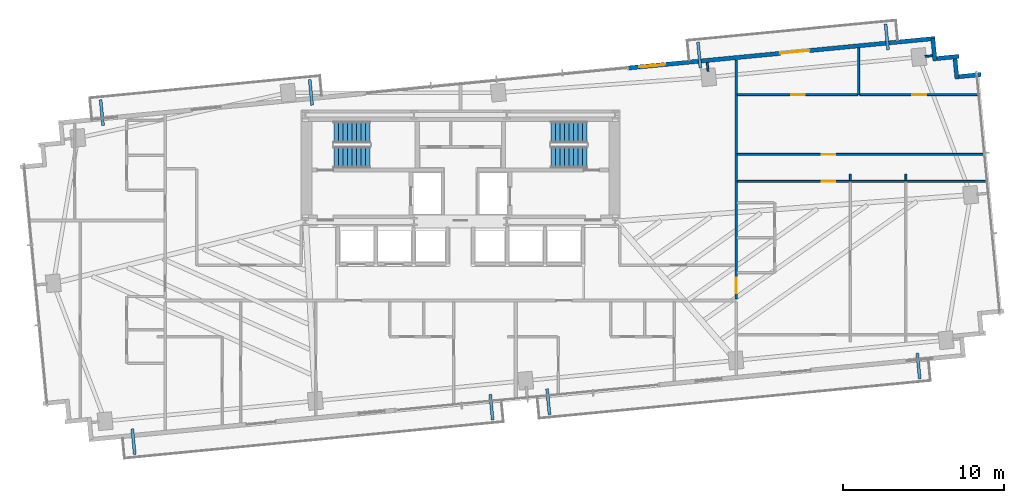
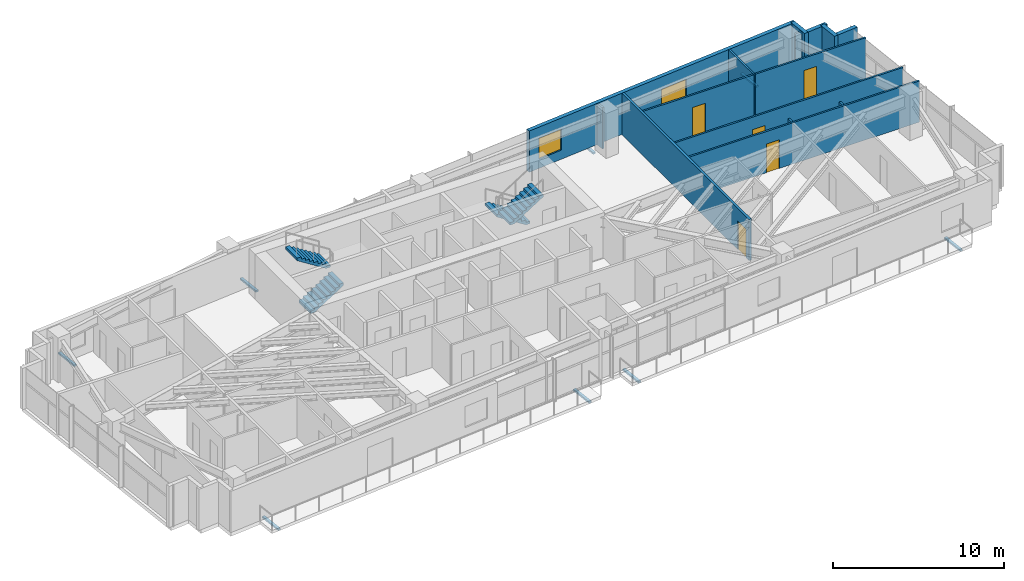
# One storey, part 24 of 27: 15 walls, 8 discrete accessories, 6 doors, 4 stair flights, 1 window, 7 openings, 2 elements without a shape of their own.
"""IFC4 building model written with IfcOpenShell, lengths in metres."""

from ifc_helpers import new_model, si_unit, direction, frame, frame_2d, origin, origin_2d, place, context, subcontext, project, spatial, polyline, rectangle, outline, extrude, source, transform, mapped, material, layer, layer_set, type_object, type_shapes, element, fill, aggregate, save


model = new_model("IFC4")

# Units and contexts
model_context = context("Model", 3, precision=1e-05, world=origin(), true_north=direction((0.0, 1.0)))
body_context = subcontext(model_context, "Body", "Model", "MODEL_VIEW")
ifc_project = project(units=[si_unit("LENGTHUNIT", "METRE"), si_unit("AREAUNIT", "SQUARE_METRE"), si_unit("VOLUMEUNIT", "CUBIC_METRE"), si_unit("PLANEANGLEUNIT", "RADIAN"), si_unit("MASSUNIT", "GRAM", prefix="KILO")], contexts=[model_context])

# Site, building, storey
site_placement = place(None, origin())
site = spatial("IfcSite", under=ifc_project, at=site_placement, CompositionType="ELEMENT")
building_placement = place(site_placement, origin())
building = spatial("IfcBuilding", under=site, at=building_placement, Name="Astriad Promenade Condominiums", CompositionType="ELEMENT")
storey_placement = place(building_placement, frame((0.0, 0.0, 87.39990234375)))
storey = spatial("IfcBuildingStorey", under=building, at=storey_placement, Name="L24", CompositionType="ELEMENT", Elevation=87.39990234375)

# Wall, opening, door
ifc_material_1 = material(Name="Fire-Rated Gypsum Partition")
ifc_layer_1 = layer(ifc_material_1, 0.159912109375)
ifc_layer_set_1 = layer_set([ifc_layer_1], Name="Fire-Rated Gypsum Partition")
wall_type_1 = type_object("IfcWallType", Name="WALL-CORR-160", PredefinedType="PARTITIONING", material=ifc_layer_set_1)
wall_1_placement = place(storey_placement, frame((53.10009765625, 12.572021484375, 0.0), z_axis=(0.0, 0.0, 1.0), x_axis=(0.0, 1.0, 0.0)))
wall_1 = element("IfcWall", 1, at=wall_1_placement, inside=storey, type_object=wall_type_1, Name="PT-COR-E-L24-S2", PredefinedType="PARTITIONING", context=body_context, shape_type="SweptSolid", body=[
    extrude(rectangle(XDim=14.849365234375, YDim=0.159912109375, at=frame_2d((7.4248046875, 0.0))), origin(), (0.0, 0.0, 1.0), 2.940185546875),
])
opening_1_placement = place(wall_1_placement, frame((0.3701171875, 0.0, 0.0)))
opening_1 = element("IfcOpeningElement", 2, at=opening_1_placement, cuts=wall_1, Name="Opening FD60-APT-095", PredefinedType="OPENING", context=body_context, shape_type="SweptSolid", body=[
    extrude(rectangle(XDim=0.949951171875, YDim=2.06005859375, at=frame_2d((0.47509765625, 1.030029296875))), frame((0.0, 0.08984375, 0.0), z_axis=(0.0, -1.0, 0.0), x_axis=(1.0, 0.0, 0.0)), (0.0, 0.0, 1.0), 0.179931640625),
])
ifc_material_2 = material(Name="Solid-Core Acoustic Timber Residence Entry Door", Category="wood")
door_type_1 = type_object("IfcDoorType", Name="FD60-APT-095", OperationType="NOTDEFINED", PredefinedType="DOOR", material=ifc_material_2)
shared_shape_1 = source(origin(), body_context, "Body", "SweptSolid", [
    extrude(rectangle(XDim=0.949951171875, YDim=2.06005859375, at=frame_2d((0.47509765625, 1.030029296875))), frame((0.0, 0.02490234375, 0.0), z_axis=(0.0, -1.0, 0.0), x_axis=(1.0, 0.0, 0.0)), (0.0, 0.0, 1.0), 0.050048828125),
])
type_shapes(door_type_1, [shared_shape_1])
door_1_placement = place(opening_1_placement, origin())
door_1 = element("IfcDoor", 3, at=door_1_placement, inside=storey, type_object=door_type_1, Name="D-ENT-L24-E1", OperationType="SINGLE_SWING_RIGHT", OverallHeight=2.06005859375, OverallWidth=0.949951171875, PredefinedType="DOOR", context=body_context, shape_type="MappedRepresentation", body=[
    mapped(shared_shape_1, transform((0.0, 0.0, 0.0), scale=1.0)),
])
fill(opening_1, door_1)

# Wall, openings, door, window
ifc_material_3 = material(Name="Precast concrete C50/60", Category="concrete")
ifc_layer_2 = layer(ifc_material_3, 0.260009765625)
ifc_layer_set_2 = layer_set([ifc_layer_2], Name="Precast concrete C50/60")
wall_type_2 = type_object("IfcWallType", Name="WALL-EXT-TWR-260", PredefinedType="STANDARD", material=ifc_layer_set_2)
wall_2_placement = place(storey_placement, frame((46.40625, 26.90966796875, 0.0), z_axis=(0.0, 0.0, 1.0), x_axis=(0.995396638587, 0.095841180552, 0.0)))
wall_2 = element("IfcWall", 4, at=wall_2_placement, inside=storey, type_object=wall_type_2, Name="W-EXT-L24-N2", PredefinedType="STANDARD", context=body_context, shape_type="SweptSolid", body=[
    extrude(rectangle(XDim=19.110107421875, YDim=0.260009765625, at=frame_2d((9.55517578125, 0.0))), origin(), (0.0, 0.0, 1.0), 2.940185546875),
])
opening_2_placement = place(wall_2_placement, frame((9.469970703125, 0.0, 0.0)))
opening_2 = element("IfcOpeningElement", 5, at=opening_2_placement, cuts=wall_2, Name="Opening BD-1822-SLD", PredefinedType="OPENING", context=body_context, shape_type="SweptSolid", body=[
    extrude(rectangle(XDim=1.800048828125, YDim=2.06005859375, at=frame_2d((0.89990234375, 1.030029296875))), frame((0.0, 0.139892578125, 0.0), z_axis=(0.0, -1.0, 0.0), x_axis=(1.0, 0.0, 0.0)), (0.0, 0.0, 1.0), 0.280029296875),
])
opening_3_placement = place(wall_2_placement, frame((0.699951171875, 0.0, 0.64990234375)))
opening_3 = element("IfcOpeningElement", 6, at=opening_3_placement, cuts=wall_2, Name="Opening WIN-TWR-1620", PredefinedType="OPENING", context=body_context, shape_type="SweptSolid", body=[
    extrude(rectangle(XDim=1.60009765625, YDim=1.5, at=frame_2d((0.800048828125, 0.75))), frame((0.0, 0.139892578125, 0.0), z_axis=(0.0, -1.0, 0.0), x_axis=(1.0, 0.0, 0.0)), (0.0, 0.0, 1.0), 0.280029296875),
])
ifc_material_4 = material(Name="Thermally Broken Aluminium Sliding Balcony Door", Category="aluminium")
door_type_2 = type_object("IfcDoorType", Name="BD-1822-SLD", OperationType="NOTDEFINED", PredefinedType="DOOR", material=ifc_material_4)
shared_shape_2 = source(origin(), body_context, "Body", "SweptSolid", [
    extrude(rectangle(XDim=1.800048828125, YDim=2.06005859375, at=frame_2d((0.89990234375, 1.030029296875))), frame((0.0, 0.02490234375, 0.0), z_axis=(0.0, -1.0, 0.0), x_axis=(1.0, 0.0, 0.0)), (0.0, 0.0, 1.0), 0.050048828125),
])
type_shapes(door_type_2, [shared_shape_2])
door_2_placement = place(opening_2_placement, origin())
door_2 = element("IfcDoor", 7, at=door_2_placement, inside=storey, type_object=door_type_2, Name="BD-L24-NE", OperationType="SLIDING_TO_RIGHT", OverallHeight=2.06005859375, OverallWidth=1.800048828125, PredefinedType="DOOR", context=body_context, shape_type="MappedRepresentation", body=[
    mapped(shared_shape_2, transform((0.0, 0.0, 0.0), scale=1.0)),
])
fill(opening_2, door_2)
ifc_material_5 = material(Name="Dark Tinted Triple-Glazed Aluminium Window", Category="aluminium")
window_type = type_object("IfcWindowType", Name="WIN-TWR-1620", PartitioningType="SINGLE_PANEL", PredefinedType="WINDOW", material=ifc_material_5)
shared_shape_3 = source(origin(), body_context, "Body", "SweptSolid", [
    extrude(rectangle(XDim=1.60009765625, YDim=1.5, at=frame_2d((0.800048828125, 0.75))), frame((0.0, 0.030029296875, 0.0), z_axis=(0.0, -1.0, 0.0), x_axis=(1.0, 0.0, 0.0)), (0.0, 0.0, 1.0), 0.06005859375),
])
type_shapes(window_type, [shared_shape_3])
window_placement = place(opening_3_placement, origin())
window = element("IfcWindow", 8, at=window_placement, inside=storey, type_object=window_type, Name="WIN-L24-NE", OverallHeight=1.5, OverallWidth=1.60009765625, PartitioningType="SINGLE_PANEL", PredefinedType="WINDOW", context=body_context, shape_type="MappedRepresentation", body=[
    mapped(shared_shape_3, transform((0.0, 0.0, 0.0), scale=1.0)),
])
fill(opening_3, window)

# Walls
for number, where, z_axis, x_axis, name in (
    (9, (65.297607421875, 28.74365234375, 0.0), (0.0, 0.0, 1.0), (0.095725744959, -0.99540774648, 0.0), "W-SER-L24-09"),
    (10, (65.533203125, 27.49560546875, 0.0), (0.0, 0.0, 1.0), (0.99540774648, 0.095725744959, 0.0), "W-SER-L24-10"),
):
    element("IfcWall", number, at=place(storey_placement, frame(where, z_axis=z_axis, x_axis=x_axis)), inside=storey, type_object=wall_type_2, Name=name, PredefinedType="STANDARD", context=body_context, shape_type="SweptSolid", body=[
        extrude(rectangle(XDim=1.39501953125, YDim=0.260009765625, at=frame_2d((0.697509765625, 0.0))), origin(), (0.0, 0.0, 1.0), 2.940185546875),
    ])
wall_3_placement = place(storey_placement, frame((66.66162109375, 27.619140625, 0.0), z_axis=(0.0, 0.0, 1.0), x_axis=(0.095742423056, -0.99540614245, 0.0)))
element("IfcWall", 11, at=wall_3_placement, inside=storey, type_object=wall_type_2, Name="W-SER-L24-11", PredefinedType="STANDARD", context=body_context, shape_type="SweptSolid", body=[
    extrude(rectangle(XDim=1.394775390625, YDim=0.260009765625, at=frame_2d((0.697265625, 0.0))), origin(), (0.0, 0.0, 1.0), 2.940185546875),
])
wall_4_placement = place(storey_placement, frame((66.897216796875, 26.37109375, 0.0), z_axis=(0.0, 0.0, 1.0), x_axis=(0.995391056452, 0.09589913835, 0.0)))
element("IfcWall", 12, at=wall_4_placement, inside=storey, type_object=wall_type_2, Name="W-SER-L24-12", PredefinedType="STANDARD", context=body_context, shape_type="SweptSolid", body=[
    extrude(rectangle(XDim=1.39501953125, YDim=0.260009765625, at=frame_2d((0.697509765625, 0.0))), origin(), (0.0, 0.0, 1.0), 2.940185546875),
])
ifc_material_6 = material(Name="Acoustic Metal-Stud Gypsum Partition")
ifc_layer_3 = layer(ifc_material_6, 0.1201171875)
ifc_layer_set_3 = layer_set([ifc_layer_3], Name="Acoustic Metal-Stud Gypsum Partition")
wall_type_3 = type_object("IfcWallType", Name="WALL-PART-120", PredefinedType="PARTITIONING", material=ifc_layer_set_3)
wall_5_placement = place(storey_placement, frame((60.695068359375, 25.2548828125, 0.0), z_axis=(0.0, 0.0, 1.0), x_axis=(0.0, 1.0, 0.0)))
element("IfcWall", 13, at=wall_5_placement, inside=storey, type_object=wall_type_3, Name="PT-L24-E1-B1M", PredefinedType="PARTITIONING", context=body_context, shape_type="SweptSolid", body=[
    extrude(rectangle(XDim=2.89794921875, YDim=0.1201171875, at=frame_2d((1.448974609375, 0.0))), origin(), (0.0, 0.0, 1.0), 2.940185546875),
])

# Wall, opening, door
wall_6_placement = place(storey_placement, frame((53.181884765625, 25.2548828125, 0.0), z_axis=(0.0, 0.0, 1.0), x_axis=(1.0, 0.0, 0.0)))
wall_6 = element("IfcWall", 14, at=wall_6_placement, inside=storey, type_object=wall_type_3, Name="PT-L24-E1-B1", PredefinedType="PARTITIONING", context=body_context, shape_type="SweptSolid", body=[
    extrude(rectangle(XDim=7.451171875, YDim=0.1201171875, at=frame_2d((3.7255859375, 0.0))), origin(), (0.0, 0.0, 1.0), 2.940185546875),
])
opening_4_placement = place(wall_6_placement, frame((3.3310546875, 0.0, 0.0)))
opening_4 = element("IfcOpeningElement", 15, at=opening_4_placement, cuts=wall_6, Name="Opening D-INT-085", PredefinedType="OPENING", context=body_context, shape_type="SweptSolid", body=[
    extrude(rectangle(XDim=0.85009765625, YDim=2.050048828125, at=frame_2d((0.425048828125, 1.02490234375))), frame((0.0, 0.070068359375, 0.0), z_axis=(0.0, -1.0, 0.0), x_axis=(1.0, 0.0, 0.0)), (0.0, 0.0, 1.0), 0.14013671875),
])
ifc_material_7 = material(Name="Painted Solid-Core Timber Room Door", Category="wood")
door_type_3 = type_object("IfcDoorType", Name="D-INT-085", OperationType="NOTDEFINED", PredefinedType="DOOR", material=ifc_material_7)
shared_shape_4 = source(origin(), body_context, "Body", "SweptSolid", [
    extrude(rectangle(XDim=0.85009765625, YDim=2.050048828125, at=frame_2d((0.425048828125, 1.02490234375))), frame((0.0, 0.02490234375, 0.0), z_axis=(0.0, -1.0, 0.0), x_axis=(1.0, 0.0, 0.0)), (0.0, 0.0, 1.0), 0.050048828125),
])
type_shapes(door_type_3, [shared_shape_4])
door_3_placement = place(opening_4_placement, origin())
door_3 = element("IfcDoor", 16, at=door_3_placement, inside=storey, type_object=door_type_3, Name="D-BD1-L24-E1", OperationType="SINGLE_SWING_LEFT", OverallHeight=2.050048828125, OverallWidth=0.85009765625, PredefinedType="DOOR", context=body_context, shape_type="MappedRepresentation", body=[
    mapped(shared_shape_4, transform((0.0, 0.0, 0.0), scale=1.0)),
])
fill(opening_4, door_3)

wall_7_placement = place(storey_placement, frame((60.757080078125, 25.2548828125, 0.0), z_axis=(0.0, 0.0, 1.0), x_axis=(1.0, 0.0, 0.0)))
wall_7 = element("IfcWall", 17, at=wall_7_placement, inside=storey, type_object=wall_type_3, Name="PT-L24-E1-B1-S2", PredefinedType="PARTITIONING", context=body_context, shape_type="SweptSolid", body=[
    extrude(rectangle(XDim=7.438232421875, YDim=0.1201171875, at=frame_2d((3.71923828125, 0.0))), origin(), (0.0, 0.0, 1.0), 2.940185546875),
])
opening_5_placement = place(wall_7_placement, frame((3.27001953125, 0.0, 0.0)))
opening_5 = element("IfcOpeningElement", 18, at=opening_5_placement, cuts=wall_7, Name="Opening D-INT-085", PredefinedType="OPENING", context=body_context, shape_type="SweptSolid", body=[
    extrude(rectangle(XDim=0.85009765625, YDim=2.050048828125, at=frame_2d((0.425048828125, 1.02490234375))), frame((0.0, 0.070068359375, 0.0), z_axis=(0.0, -1.0, 0.0), x_axis=(1.0, 0.0, 0.0)), (0.0, 0.0, 1.0), 0.14013671875),
])
door_4_placement = place(opening_5_placement, origin())
door_4 = element("IfcDoor", 19, at=door_4_placement, inside=storey, type_object=door_type_3, Name="D-BD1B-L24-E1", OperationType="SINGLE_SWING_RIGHT", OverallHeight=2.050048828125, OverallWidth=0.85009765625, PredefinedType="DOOR", context=body_context, shape_type="MappedRepresentation", body=[
    mapped(shared_shape_4, transform((0.0, 0.0, 0.0), scale=1.0)),
])
fill(opening_5, door_4)

wall_8_placement = place(storey_placement, frame((53.181884765625, 21.550048828125, 0.0), z_axis=(0.0, 0.0, 1.0), x_axis=(1.0, 0.0, 0.0)))
wall_8 = element("IfcWall", 20, at=wall_8_placement, inside=storey, type_object=wall_type_3, Name="PT-L24-E1-WDN1", PredefinedType="PARTITIONING", context=body_context, shape_type="SweptSolid", body=[
    extrude(rectangle(XDim=15.3701171875, YDim=0.1201171875, at=frame_2d((7.68505859375, 0.0))), origin(), (0.0, 0.0, 1.0), 2.940185546875),
])
opening_6_placement = place(wall_8_placement, frame((5.222900390625, 0.0, 0.0)))
opening_6 = element("IfcOpeningElement", 21, at=opening_6_placement, cuts=wall_8, Name="Opening D-INT-085", PredefinedType="OPENING", context=body_context, shape_type="SweptSolid", body=[
    extrude(rectangle(XDim=0.85009765625, YDim=2.050048828125, at=frame_2d((0.425048828125, 1.02490234375))), frame((0.0, 0.070068359375, 0.0), z_axis=(0.0, -1.0, 0.0), x_axis=(1.0, 0.0, 0.0)), (0.0, 0.0, 1.0), 0.14013671875),
])
door_5_placement = place(opening_6_placement, origin())
door_5 = element("IfcDoor", 22, at=door_5_placement, inside=storey, type_object=door_type_3, Name="D-WDN1-L24-E1", OperationType="SINGLE_SWING_LEFT", OverallHeight=2.050048828125, OverallWidth=0.85009765625, PredefinedType="DOOR", context=body_context, shape_type="MappedRepresentation", body=[
    mapped(shared_shape_4, transform((0.0, 0.0, 0.0), scale=1.0)),
])
fill(opening_6, door_5)

wall_9_placement = place(storey_placement, frame((53.181884765625, 19.882080078125, 0.0), z_axis=(0.0, 0.0, 1.0), x_axis=(1.0, 0.0, 0.0)))
wall_9 = element("IfcWall", 23, at=wall_9_placement, inside=storey, type_object=wall_type_3, Name="PT-L24-E1-WDN3", PredefinedType="PARTITIONING", context=body_context, shape_type="SweptSolid", body=[
    extrude(rectangle(XDim=15.530517578125, YDim=0.1201171875, at=frame_2d((7.76513671875, 0.0))), origin(), (0.0, 0.0, 1.0), 2.940185546875),
])
opening_7_placement = place(wall_9_placement, frame((5.222900390625, 0.0, 0.0)))
opening_7 = element("IfcOpeningElement", 24, at=opening_7_placement, cuts=wall_9, Name="Opening D-INT-085", PredefinedType="OPENING", context=body_context, shape_type="SweptSolid", body=[
    extrude(rectangle(XDim=0.85009765625, YDim=2.050048828125, at=frame_2d((0.425048828125, 1.02490234375))), frame((0.0, 0.070068359375, 0.0), z_axis=(0.0, -1.0, 0.0), x_axis=(1.0, 0.0, 0.0)), (0.0, 0.0, 1.0), 0.14013671875),
])
door_6_placement = place(opening_7_placement, origin())
door_6 = element("IfcDoor", 25, at=door_6_placement, inside=storey, type_object=door_type_3, Name="D-WDN3-L24-E1", OperationType="SINGLE_SWING_LEFT", OverallHeight=2.050048828125, OverallWidth=0.85009765625, PredefinedType="DOOR", context=body_context, shape_type="MappedRepresentation", body=[
    mapped(shared_shape_4, transform((0.0, 0.0, 0.0), scale=1.0)),
])
fill(opening_7, door_6)

# Walls
for number, where, z_axis, x_axis, name in (
    (26, (63.62890625, 19.944091796875, 0.0), (0.0, 0.0, 1.0), (0.0, 1.0, 0.0), "PT-L24-E1-WDV4-S3"),
    (27, (60.179931640625, 19.944091796875, 0.0), (0.0, 0.0, 1.0), (0.0, 1.0, 0.0), "PT-L24-E1-WDV5-S3"),
):
    element("IfcWall", number, at=place(storey_placement, frame(where, z_axis=z_axis, x_axis=x_axis)), inside=storey, type_object=wall_type_3, Name=name, PredefinedType="PARTITIONING", context=body_context, shape_type="SweptSolid", body=[
        extrude(rectangle(XDim=0.3779296875, YDim=0.1201171875, at=frame_2d((0.18896484375, 0.0))), origin(), (0.0, 0.0, 1.0), 2.940185546875),
    ])
wall_10_placement = place(storey_placement, frame((51.35791015625, 26.71337890625, 0.0), z_axis=(0.0, 0.0, 1.0), x_axis=(-0.095772948675, 0.995403205893, 0.0)))
element("IfcWall", 28, at=wall_10_placement, inside=storey, type_object=wall_type_3, Name="PT-PIL-L24-PC09-16", PredefinedType="PARTITIONING", context=body_context, shape_type="SweptSolid", body=[
    extrude(rectangle(XDim=0.537841796875, YDim=0.1201171875, at=frame_2d((0.26904296875, 0.0))), origin(), (0.0, 0.0, 1.0), 2.940185546875),
])
wall_11_placement = place(storey_placement, frame((64.812255859375, 27.626953125, 0.0), z_axis=(0.0, 0.0, 1.0), x_axis=(0.995389482415, 0.095915474751, 0.0)))
element("IfcWall", 29, at=wall_11_placement, inside=storey, type_object=wall_type_3, Name="PT-PIL-L24-PC10-17", PredefinedType="PARTITIONING", context=body_context, shape_type="SweptSolid", body=[
    extrude(rectangle(XDim=0.458251953125, YDim=0.1201171875, at=frame_2d((0.22900390625, 0.0))), origin(), (0.0, 0.0, 1.0), 2.940185546875),
])

# Stair, stair flights
ifc_material_8 = material(Name="Concrete C50/60", Category="concrete")
stair_type = type_object("IfcStairType", Name="STR-CORE-1350", PredefinedType="HALF_TURN_STAIR", material=ifc_material_8)
stair_1_placement = place(storey_placement, origin())
stair_1 = element("IfcStair", 30, at=stair_1_placement, inside=storey, type_object=stair_type, Name="L24 Enclosed Core Exit Stair ST-1", PredefinedType="HALF_TURN_STAIR")
stair_flight_type = type_object("IfcStairFlightType", Name="SFL-CORE-1350", PredefinedType="STRAIGHT", material=ifc_material_8)
shared_shape_5 = source(origin(), body_context, "Body", "SweptSolid", [
    extrude(outline(polyline([(0.0, 0.0), (0.0, 0.177734375), (0.280029296875, 0.177734375), (0.280029296875, 0.35546875), (0.56005859375, 0.35546875), (0.56005859375, 0.533447265625), (0.840087890625, 0.533447265625), (0.840087890625, 0.711181640625), (1.1201171875, 0.711181640625), (1.1201171875, 0.888916015625), (1.39990234375, 0.888916015625), (1.39990234375, 1.066650390625), (1.679931640625, 1.066650390625), (1.679931640625, 1.244384765625), (1.9599609375, 1.244384765625), (1.9599609375, 1.422119140625), (2.239990234375, 1.422119140625), (2.239990234375, 1.60009765625), (2.239990234375, 1.24462890625), (0.27978515625, 0.0), (0.0, 0.0)])), frame((0.0, 0.675048828125, 0.0), z_axis=(0.0, -1.0, 0.0), x_axis=(1.0, 0.0, 0.0)), (0.0, 0.0, 1.0), 1.35009765625),
])
type_shapes(stair_flight_type, [shared_shape_5])
stair_flight_1_placement = place(storey_placement, frame((28.14990234375, 21.375, 0.0), z_axis=(0.0, 0.0, 1.0), x_axis=(1.0, 0.0, 0.0)))
stair_flight_1 = element("IfcStairFlight", 31, at=stair_flight_1_placement, type_object=stair_flight_type, Name="ST-1 flight 1", NumberOfRisers=9, NumberOfTreads=8, PredefinedType="STRAIGHT", RiserHeight=0.177777778, TreadLength=0.28, context=body_context, shape_type="MappedRepresentation", body=[
    mapped(shared_shape_5, transform((0.0, 0.0, 0.0), scale=1.0)),
])
stair_flight_2_placement = place(storey_placement, frame((30.389892578125, 22.925048828125, 1.60009765625), z_axis=(0.0, 0.0, 1.0), x_axis=(-1.0, 0.0, 0.0)))
stair_flight_2 = element("IfcStairFlight", 32, at=stair_flight_2_placement, type_object=stair_flight_type, Name="ST-1 flight 2", NumberOfRisers=9, NumberOfTreads=8, PredefinedType="STRAIGHT", RiserHeight=0.177777778, TreadLength=0.28, context=body_context, shape_type="MappedRepresentation", body=[
    mapped(shared_shape_5, transform((0.0, 0.0, 0.0), scale=1.0)),
])
aggregate(stair_1, [stair_flight_1, stair_flight_2])

stair_2_placement = place(storey_placement, origin())
stair_2 = element("IfcStair", 33, at=stair_2_placement, inside=storey, type_object=stair_type, Name="L24 Enclosed Core Exit Stair ST-2", PredefinedType="HALF_TURN_STAIR")
stair_flight_3_placement = place(storey_placement, frame((43.85009765625, 22.925048828125, 0.0), z_axis=(0.0, 0.0, 1.0), x_axis=(-1.0, 0.0, 0.0)))
stair_flight_3 = element("IfcStairFlight", 34, at=stair_flight_3_placement, type_object=stair_flight_type, Name="ST-2 flight 1", NumberOfRisers=9, NumberOfTreads=8, PredefinedType="STRAIGHT", RiserHeight=0.177777778, TreadLength=0.28, context=body_context, shape_type="MappedRepresentation", body=[
    mapped(shared_shape_5, transform((0.0, 0.0, 0.0), scale=1.0)),
])
stair_flight_4_placement = place(storey_placement, frame((41.610107421875, 21.375, 1.60009765625), z_axis=(0.0, 0.0, 1.0), x_axis=(1.0, 0.0, 0.0)))
stair_flight_4 = element("IfcStairFlight", 35, at=stair_flight_4_placement, type_object=stair_flight_type, Name="ST-2 flight 2", NumberOfRisers=9, NumberOfTreads=8, PredefinedType="STRAIGHT", RiserHeight=0.177777778, TreadLength=0.28, context=body_context, shape_type="MappedRepresentation", body=[
    mapped(shared_shape_5, transform((0.0, 0.0, 0.0), scale=1.0)),
])
aggregate(stair_2, [stair_flight_3, stair_flight_4])

# Discrete accessories
ifc_material_9 = material(Name="Steel ASTM A572 Grade 50", Category="steel")
discrete_accessory_type = type_object("IfcDiscreteAccessoryType", Name="STEEL BALCONY OUTRIGGER BRACKET", PredefinedType="BRACKET", material=ifc_material_9)
shared_shape_6 = source(origin(), body_context, "Body", "SweptSolid", [
    extrude(rectangle(XDim=1.60009765625, YDim=0.179931640625, at=origin_2d()), origin(), (0.0, 0.0, 1.0), 0.1220703125),
])
type_shapes(discrete_accessory_type, [shared_shape_6])
for number, where, z_axis, x_axis, name in (
    (36, (15.728515625, 3.742431640625, -0.33984375), (0.0, 0.0, 1.0), (0.09584575252, -0.995396198367, 0.0), "Balcony Outrigger Bracket BAL-L24-SW-A"),
    (37, (37.9248046875, 5.8798828125, -0.33984375), (0.0, 0.0, 1.0), (0.09584575252, -0.995396198367, 0.0), "Balcony Outrigger Bracket BAL-L24-SW-B"),
    (38, (41.44970703125, 6.21923828125, -0.33984375), (0.0, 0.0, 1.0), (0.09584575252, -0.995396198367, 0.0), "Balcony Outrigger Bracket BAL-L24-SE-A"),
    (39, (64.409423828125, 8.429931640625, -0.33984375), (0.0, 0.0, 1.0), (0.09584575252, -0.995396198367, 0.0), "Balcony Outrigger Bracket BAL-L24-SE-B"),
    (40, (13.763671875, 24.148193359375, -0.33984375), (0.0, 0.0, 1.0), (-0.09584575252, 0.995396198367, 0.0), "Balcony Outrigger Bracket BAL-L24-NW-A"),
    (41, (26.730712890625, 25.396728515625, -0.33984375), (0.0, 0.0, 1.0), (-0.09584575252, 0.995396198367, 0.0), "Balcony Outrigger Bracket BAL-L24-NW-B"),
    (42, (50.809326171875, 27.71533203125, -0.33984375), (0.0, 0.0, 1.0), (-0.09584575252, 0.995396198367, 0.0), "Balcony Outrigger Bracket BAL-L24-NE-A"),
    (43, (62.444580078125, 28.835693359375, -0.33984375), (0.0, 0.0, 1.0), (-0.09584575252, 0.995396198367, 0.0), "Balcony Outrigger Bracket BAL-L24-NE-B"),
):
    element("IfcDiscreteAccessory", number, at=place(storey_placement, frame(where, z_axis=z_axis, x_axis=x_axis)), inside=storey, type_object=discrete_accessory_type, Name=name, PredefinedType="BRACKET", context=body_context, shape_type="MappedRepresentation", body=[
        mapped(shared_shape_6, transform((0.0, 0.0, 0.0), scale=1.0)),
    ])

save(model, "model.ifc")
